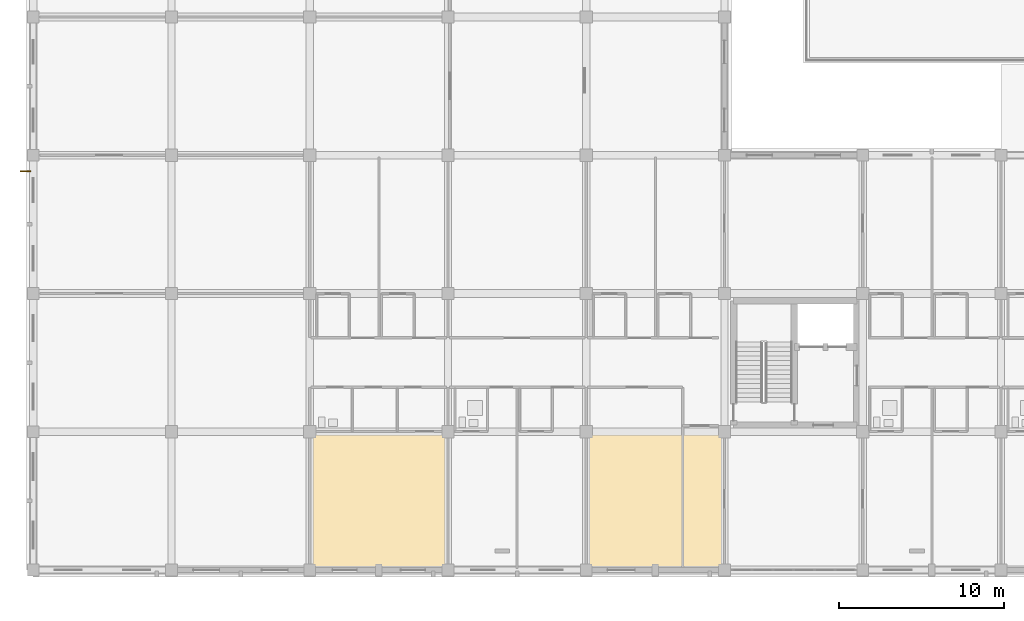
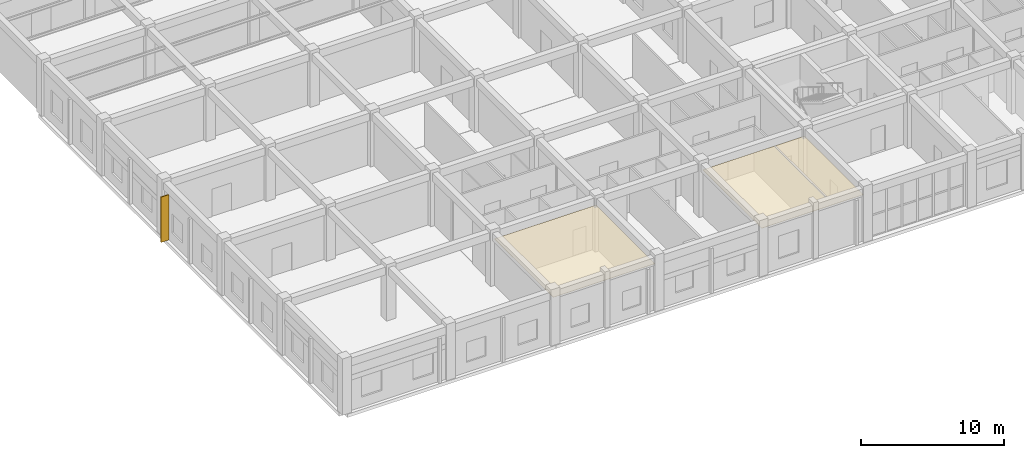
# One storey, part 143 of 158: 2 coverings, 1 shading device.
"""IFC4 building model written with IfcOpenShell, lengths in metres."""

from ifc_helpers import new_model, si_unit, direction, frame, origin, origin_2d, place, context, subcontext, project, spatial, polyline, rectangle, outline, extrude, material, layer, layer_set, type_object, element, save


model = new_model("IFC4")

# Units and contexts
model_context = context("Model", 3, precision=1e-05, world=origin(), true_north=direction((0.0, 1.0)))
body_context = subcontext(model_context, "Body", "Model", "MODEL_VIEW")
ifc_project = project(units=[si_unit("LENGTHUNIT", "METRE"), si_unit("AREAUNIT", "SQUARE_METRE"), si_unit("VOLUMEUNIT", "CUBIC_METRE"), si_unit("PLANEANGLEUNIT", "RADIAN"), si_unit("MASSUNIT", "GRAM", prefix="KILO")], contexts=[model_context])

# Site, building, storey
site_placement = place(None, origin())
site = spatial("IfcSite", under=ifc_project, at=site_placement, CompositionType="ELEMENT")
building_placement = place(site_placement, origin())
building = spatial("IfcBuilding", under=site, at=building_placement, Name="Trelvath General Hospital", CompositionType="ELEMENT")
storey_placement = place(building_placement, frame((0.0, 0.0, 8.10009765625)))
storey = spatial("IfcBuildingStorey", under=building, at=storey_placement, Name="L02", CompositionType="ELEMENT", Elevation=8.10009765625)

# Coverings
ifc_material_1 = material(Name="Hygienic acoustic ceiling tile")
ifc_layer = layer(ifc_material_1, 0.02490234375)
ifc_layer_set = layer_set([ifc_layer], Name="Hygienic acoustic ceiling tile")
covering_type = type_object("IfcCoveringType", Name="Ceiling ClinicalAcoustic", PredefinedType="CEILING", material=ifc_layer_set)
covering_1_placement = place(storey_placement, frame((0.0, 0.0, 3.719970703125)))
element("IfcCovering", 1, at=covering_1_placement, inside=storey, type_object=covering_type, Name="Clinical Acoustic Ceiling L02-25", PredefinedType="CEILING", context=body_context, shape_type="SweptSolid", body=[
    extrude(outline(polyline([(16.89990234375, 0.10009765625), (25.10009765625, 0.10009765625), (25.10009765625, 8.320068359375), (16.89990234375, 8.320068359375), (16.89990234375, 0.10009765625)])), origin(), (0.0, 0.0, 1.0), 0.02490234375),
])
covering_2_placement = place(storey_placement, frame((0.0, 0.0, 3.719970703125)))
element("IfcCovering", 2, at=covering_2_placement, inside=storey, type_object=covering_type, Name="Clinical Acoustic Ceiling L02-26", PredefinedType="CEILING", context=body_context, shape_type="SweptSolid", body=[
    extrude(outline(polyline([(33.699951171875, 0.10009765625), (41.89990234375, 0.10009765625), (41.89990234375, 8.320068359375), (33.699951171875, 8.320068359375), (33.699951171875, 0.10009765625)])), origin(), (0.0, 0.0, 1.0), 0.02490234375),
])

# Shading device
ifc_material_2 = material(Name="Anodised aluminium", Category="aluminium")
shading_device_type = type_object("IfcShadingDeviceType", Name="SolarScreen PerforatedAlu", PredefinedType="JALOUSIE", material=ifc_material_2)
shading_device_placement = place(storey_placement, frame((-0.47998046875, 24.229736328125, 0.0), z_axis=(0.0, 0.0, 1.0), x_axis=(-1.0, 0.0, 0.0)))
element("IfcShadingDevice", 3, at=shading_device_placement, inside=storey, type_object=shading_device_type, Name="Solar Brise-Soleil Screen L02-34", PredefinedType="JALOUSIE", context=body_context, shape_type="SweptSolid", body=[
    extrude(rectangle(XDim=0.64990234375, YDim=0.080078125, at=origin_2d()), origin(), (0.0, 0.0, 1.0), 3.860107421875),
])

save(model, "model.ifc")
